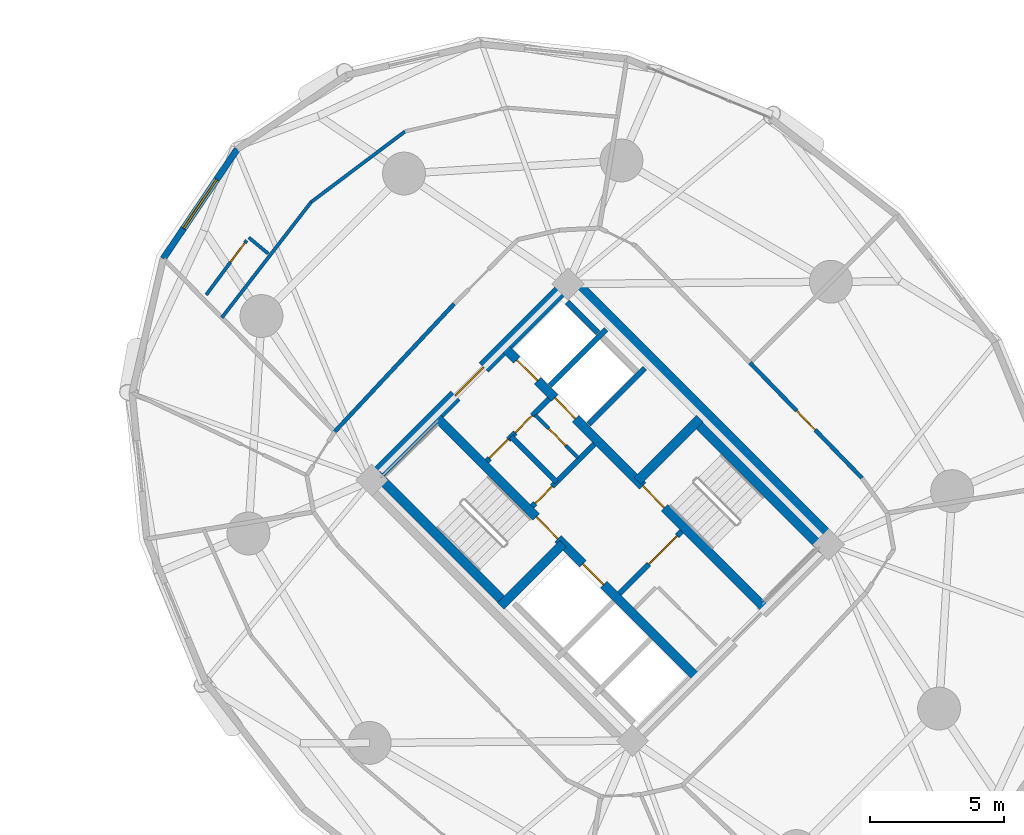
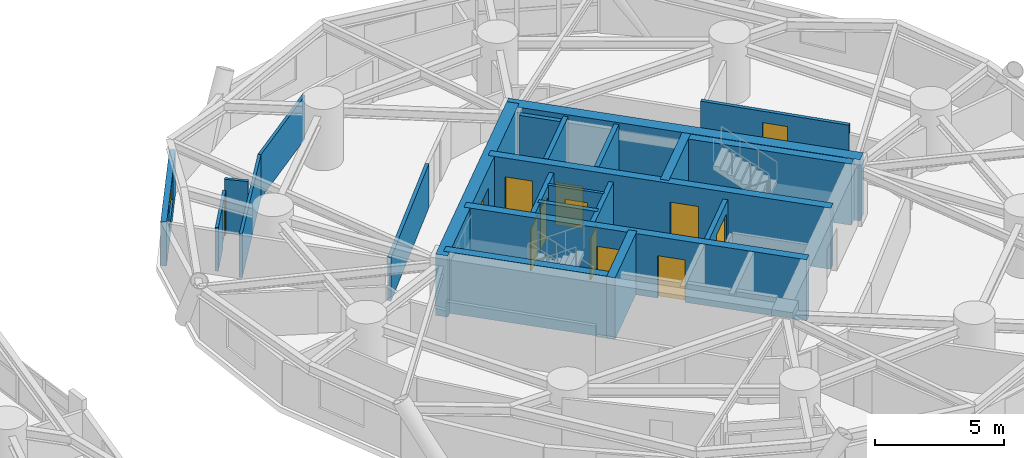
# One storey, part 12 of 16: 23 walls, 13 doors, 1 window, 14 openings.
"""IFC4 building model written with IfcOpenShell, lengths in metres."""

from ifc_helpers import new_model, si_unit, direction, frame, frame_2d, origin, place, context, subcontext, project, spatial, rectangle, extrude, source, transform, mapped, material, layer, layer_set, type_object, element, fill, save


model = new_model("IFC4")

# Units and contexts
model_context = context("Model", 3, precision=1e-05, world=origin(), true_north=direction((0.0, 1.0)))
body_context = subcontext(model_context, "Body", "Model", "MODEL_VIEW")
ifc_project = project(units=[si_unit("LENGTHUNIT", "METRE"), si_unit("AREAUNIT", "SQUARE_METRE"), si_unit("VOLUMEUNIT", "CUBIC_METRE"), si_unit("PLANEANGLEUNIT", "RADIAN"), si_unit("MASSUNIT", "GRAM", prefix="KILO")], contexts=[model_context])

# Site, building, storey
site_placement = place(None, origin())
site = spatial("IfcSite", under=ifc_project, at=site_placement, CompositionType="ELEMENT")
building_placement = place(site_placement, origin())
building = spatial("IfcBuilding", under=site, at=building_placement, Name="Cununo Teusaquillo Station Towers", CompositionType="ELEMENT")
storey_placement = place(building_placement, frame((0.0, 0.0, 62.739990234375)))
storey = spatial("IfcBuildingStorey", under=building, at=storey_placement, Name="L19", CompositionType="ELEMENT", Elevation=62.739990234375)

# Walls
ifc_material_1 = material(Name="Concrete C50/60", Category="concrete")
ifc_layer_1 = layer(ifc_material_1, 0.199951171875)
ifc_layer_set_1 = layer_set([ifc_layer_1], Name="Concrete C50/60")
wall_type_1 = type_object("IfcWallType", Name="WL-CORE-200", PredefinedType="SHEAR", material=ifc_layer_set_1)
wall_1_placement = place(storey_placement, frame((57.0615234375, 27.781005859375, 0.0), z_axis=(0.0, 0.0, 1.0), x_axis=(0.707106781187, 0.707106781187, 0.0)))
element("IfcWall", 1, at=wall_1_placement, inside=storey, type_object=wall_type_1, Name="L19 Tower B Low-Rise Lift Hoistway South Shear Wall", PredefinedType="SHEAR", context=body_context, shape_type="SweptSolid", body=[
    extrude(rectangle(XDim=2.969970703125, YDim=0.199951171875, at=frame_2d((1.48486328125, 0.0))), origin(), (0.0, 0.0, 1.0), 2.909912109375),
])
wall_2_placement = place(storey_placement, frame((55.615478515625, 29.22705078125, 0.0), z_axis=(0.0, 0.0, 1.0), x_axis=(0.707147878904, 0.70706568108, 0.0)))
element("IfcWall", 2, at=wall_2_placement, inside=storey, type_object=wall_type_1, Name="L19 Tower B Low-Rise Lift Hoistway Divider Shear Wall", PredefinedType="SHEAR", context=body_context, shape_type="SweptSolid", body=[
    extrude(rectangle(XDim=2.97021484375, YDim=0.199951171875, at=frame_2d((1.485107421875, 0.0))), origin(), (0.0, 0.0, 1.0), 2.909912109375),
])
wall_3_placement = place(storey_placement, frame((57.418701171875, 31.19970703125, 0.0), z_axis=(0.0, 0.0, 1.0), x_axis=(-0.707032117043, 0.707181437447, 0.0)))
element("IfcWall", 3, at=wall_3_placement, inside=storey, type_object=wall_type_1, Name="L19 Tower B Low-Rise Lift 2 Shaft Rear Shear Wall", PredefinedType="SHEAR", context=body_context, shape_type="SweptSolid", body=[
    extrude(rectangle(XDim=1.635009765625, YDim=0.199951171875, at=frame_2d((0.8173828125, 0.0))), origin(), (0.0, 0.0, 1.0), 2.909912109375),
])

# Wall, openings, doors
ifc_material_2 = material(Name="Concrete C50/60", Category="concrete")
ifc_layer_2 = layer(ifc_material_2, 0.35009765625)
ifc_layer_set_2 = layer_set([ifc_layer_2], Name="Concrete C50/60")
wall_type_2 = type_object("IfcWallType", Name="WL-CORE-350", PredefinedType="SHEAR", material=ifc_layer_set_2)
wall_4_placement = place(storey_placement, frame((61.095703125, 18.337646484375, 0.0), z_axis=(0.0, 0.0, 1.0), x_axis=(-0.707106781187, 0.707106781187, 0.0)))
wall_4 = element("IfcWall", 4, at=wall_4_placement, inside=storey, type_object=wall_type_2, Name="L19 Tower B Core Shear Wall IW", PredefinedType="SHEAR", context=body_context, shape_type="SweptSolid", body=[
    extrude(rectangle(XDim=13.800048828125, YDim=0.35009765625, at=frame_2d((6.89990234375, 0.0))), origin(), (0.0, 0.0, 1.0), 2.909912109375),
])
shared_shape_1 = source(origin(), body_context, "Body", "SweptSolid", [
    extrude(rectangle(XDim=1.10009765625, YDim=2.014892578125, at=frame_2d((0.550048828125, 1.00732421875))), frame((0.0, 0.18505859375, 0.0), z_axis=(0.0, -1.0, 0.0), x_axis=(1.0, 0.0, 0.0)), (0.0, 0.0, 1.0), 0.3701171875),
])
opening_1_placement = place(wall_4_placement, frame((4.89990234375, 0.0, 0.0)))
opening_1 = element("IfcOpeningElement", 5, at=opening_1_placement, cuts=wall_4, Name="Opening LD-01", PredefinedType="OPENING", context=body_context, shape_type="MappedRepresentation", body=[
    mapped(shared_shape_1, transform((0.0, 0.0, 0.0), x_axis=(1.0, 0.0, 0.0), y_axis=(0.0, 1.0, 0.0), z_axis=(0.0, 0.0, 1.0), scale=1.0)),
])
shared_shape_2 = source(origin(), body_context, "Body", "SweptSolid", [
    extrude(rectangle(XDim=1.14990234375, YDim=2.02001953125, at=frame_2d((0.574951171875, 1.010009765625))), frame((0.0, 0.18505859375, 0.0), z_axis=(0.0, -1.0, 0.0), x_axis=(1.0, 0.0, 0.0)), (0.0, 0.0, 1.0), 0.3701171875),
])
opening_2_placement = place(wall_4_placement, frame((7.320068359375, 0.0, 0.0)))
opening_2 = element("IfcOpeningElement", 6, at=opening_2_placement, cuts=wall_4, Name="Opening D-ST1", PredefinedType="OPENING", context=body_context, shape_type="MappedRepresentation", body=[
    mapped(shared_shape_2, transform((0.0, 0.0, 0.0), x_axis=(1.0, 0.0, 0.0), y_axis=(0.0, 1.0, 0.0), z_axis=(0.0, 0.0, 1.0), scale=1.0)),
])
ifc_material_3 = material(Name="Galvanised fire-rated hollow steel door assembly", Category="steel")
door_type_1 = type_object("IfcDoorType", Name="DR-LIFT-1100", OperationType="SLIDING_TO_LEFT", PredefinedType="DOOR", material=ifc_material_3)
shared_shape_3 = source(origin(), body_context, "Body", "SweptSolid", [
    extrude(rectangle(XDim=1.10009765625, YDim=2.014892578125, at=frame_2d((0.550048828125, 1.00732421875))), frame((0.0, 0.02490234375, 0.0), z_axis=(0.0, -1.0, 0.0), x_axis=(1.0, 0.0, 0.0)), (0.0, 0.0, 1.0), 0.050048828125),
])
door_1_placement = place(opening_1_placement, origin())
door_1 = element("IfcDoor", 7, at=door_1_placement, inside=storey, type_object=door_type_1, Name="L19 Lift FL-T2 Sliding Landing Door", OperationType="SLIDING_TO_LEFT", OverallHeight=2.014892578125, OverallWidth=1.10009765625, PredefinedType="DOOR", context=body_context, shape_type="MappedRepresentation", body=[
    mapped(shared_shape_3, transform((0.0, 0.0, 0.0), x_axis=(1.0, 0.0, 0.0), y_axis=(0.0, 1.0, 0.0), z_axis=(0.0, 0.0, 1.0), scale=1.0)),
])
fill(opening_1, door_1)
ifc_material_4 = material(Name="Galvanised fire-rated hollow steel door assembly", Category="steel")
door_type_2 = type_object("IfcDoorType", Name="DR-STAIR-1150", OperationType="NOTDEFINED", PredefinedType="DOOR", material=ifc_material_4)
shared_shape_4 = source(origin(), body_context, "Body", "SweptSolid", [
    extrude(rectangle(XDim=1.14990234375, YDim=2.02001953125, at=frame_2d((0.574951171875, 1.010009765625))), frame((0.0, 0.02490234375, 0.0), z_axis=(0.0, -1.0, 0.0), x_axis=(1.0, 0.0, 0.0)), (0.0, 0.0, 1.0), 0.050048828125),
])
door_2_placement = place(opening_2_placement, origin())
door_2 = element("IfcDoor", 8, at=door_2_placement, inside=storey, type_object=door_type_2, Name="L19 Tower B Exit Stair 1 Fire Door", OperationType="SINGLE_SWING_LEFT", OverallHeight=2.02001953125, OverallWidth=1.14990234375, PredefinedType="DOOR", context=body_context, shape_type="MappedRepresentation", body=[
    mapped(shared_shape_4, transform((0.0, 0.0, 0.0), x_axis=(1.0, 0.0, 0.0), y_axis=(0.0, 1.0, 0.0), z_axis=(0.0, 0.0, 1.0), scale=1.0)),
])
fill(opening_2, door_2)

wall_5_placement = place(storey_placement, frame((63.662353515625, 20.904296875, 0.0), z_axis=(0.0, 0.0, 1.0), x_axis=(-0.707106781187, 0.707106781187, 0.0)))
wall_5 = element("IfcWall", 9, at=wall_5_placement, inside=storey, type_object=wall_type_2, Name="L19 Tower B Core Shear Wall IE", PredefinedType="SHEAR", context=body_context, shape_type="SweptSolid", body=[
    extrude(rectangle(XDim=13.800048828125, YDim=0.35009765625, at=frame_2d((6.89990234375, 0.0))), origin(), (0.0, 0.0, 1.0), 2.909912109375),
])
opening_3_placement = place(wall_5_placement, frame((10.02490234375, 0.0, 0.0)))
opening_3 = element("IfcOpeningElement", 10, at=opening_3_placement, cuts=wall_5, Name="Opening LD-01", PredefinedType="OPENING", context=body_context, shape_type="MappedRepresentation", body=[
    mapped(shared_shape_1, transform((0.0, 0.0, 0.0), x_axis=(1.0, 0.0, 0.0), y_axis=(0.0, 1.0, 0.0), z_axis=(0.0, 0.0, 1.0), scale=1.0)),
])
opening_4_placement = place(wall_5_placement, frame((12.02490234375, 0.0, 0.0)))
opening_4 = element("IfcOpeningElement", 11, at=opening_4_placement, cuts=wall_5, Name="Opening LD-01", PredefinedType="OPENING", context=body_context, shape_type="MappedRepresentation", body=[
    mapped(shared_shape_1, transform((0.0, 0.0, 0.0), x_axis=(1.0, 0.0, 0.0), y_axis=(0.0, 1.0, 0.0), z_axis=(0.0, 0.0, 1.0), scale=1.0)),
])
opening_5_placement = place(wall_5_placement, frame((5.330078125, 0.0, 0.0)))
opening_5 = element("IfcOpeningElement", 12, at=opening_5_placement, cuts=wall_5, Name="Opening D-ST1", PredefinedType="OPENING", context=body_context, shape_type="MappedRepresentation", body=[
    mapped(shared_shape_2, transform((0.0, 0.0, 0.0), x_axis=(1.0, 0.0, 0.0), y_axis=(0.0, 1.0, 0.0), z_axis=(0.0, 0.0, 1.0), scale=1.0)),
])
door_3_placement = place(opening_3_placement, origin())
door_3 = element("IfcDoor", 13, at=door_3_placement, inside=storey, type_object=door_type_1, Name="L19 Lift PL-T2-L1 Sliding Landing Door", OperationType="SLIDING_TO_RIGHT", OverallHeight=2.014892578125, OverallWidth=1.10009765625, PredefinedType="DOOR", context=body_context, shape_type="MappedRepresentation", body=[
    mapped(shared_shape_3, transform((0.0, 0.0, 0.0), x_axis=(1.0, 0.0, 0.0), y_axis=(0.0, 1.0, 0.0), z_axis=(0.0, 0.0, 1.0), scale=1.0)),
])
fill(opening_3, door_3)
door_4_placement = place(opening_4_placement, origin())
door_4 = element("IfcDoor", 14, at=door_4_placement, inside=storey, type_object=door_type_1, Name="L19 Lift PL-T2-L2 Sliding Landing Door", OperationType="SLIDING_TO_LEFT", OverallHeight=2.014892578125, OverallWidth=1.10009765625, PredefinedType="DOOR", context=body_context, shape_type="MappedRepresentation", body=[
    mapped(shared_shape_3, transform((0.0, 0.0, 0.0), x_axis=(1.0, 0.0, 0.0), y_axis=(0.0, 1.0, 0.0), z_axis=(0.0, 0.0, 1.0), scale=1.0)),
])
fill(opening_4, door_4)
door_5_placement = place(opening_5_placement, origin())
door_5 = element("IfcDoor", 15, at=door_5_placement, inside=storey, type_object=door_type_2, Name="L19 Tower B Exit Stair 2 Fire Door", OperationType="SINGLE_SWING_RIGHT", OverallHeight=2.02001953125, OverallWidth=1.14990234375, PredefinedType="DOOR", context=body_context, shape_type="MappedRepresentation", body=[
    mapped(shared_shape_4, transform((0.0, 0.0, 0.0), x_axis=(1.0, 0.0, 0.0), y_axis=(0.0, 1.0, 0.0), z_axis=(0.0, 0.0, 1.0), scale=1.0)),
])
fill(opening_5, door_5)

# Walls
wall_6_placement = place(storey_placement, frame((53.922119140625, 21.14111328125, 0.0), z_axis=(0.0, 0.0, 1.0), x_axis=(-0.707106781187, 0.707106781187, 0.0)))
element("IfcWall", 16, at=wall_6_placement, inside=storey, type_object=wall_type_2, Name="L19 Tower B Core Shear Wall ST1W", PredefinedType="SHEAR", context=body_context, shape_type="SweptSolid", body=[
    extrude(rectangle(XDim=6.7451171875, YDim=0.35009765625, at=frame_2d((3.37255859375, 0.0))), origin(), (0.0, 0.0, 1.0), 2.909912109375),
])
wall_7_placement = place(storey_placement, frame((53.7841796875, 21.00341796875, 0.0), z_axis=(0.0, 0.0, 1.0), x_axis=(0.707106781187, 0.707106781187, 0.0)))
element("IfcWall", 17, at=wall_7_placement, inside=storey, type_object=wall_type_2, Name="L19 Tower B Core Shear Wall ST1S", PredefinedType="SHEAR", context=body_context, shape_type="SweptSolid", body=[
    extrude(rectangle(XDim=3.284912109375, YDim=0.35009765625, at=frame_2d((1.642578125, 0.0))), origin(), (0.0, 0.0, 1.0), 2.909912109375),
])
wall_8_placement = place(storey_placement, frame((65.847412109375, 23.08935546875, 0.0), z_axis=(0.0, 0.0, 1.0), x_axis=(-0.707106781187, 0.707106781187, 0.0)))
element("IfcWall", 18, at=wall_8_placement, inside=storey, type_object=wall_type_2, Name="L19 Tower B Core Shear Wall ST2E", PredefinedType="SHEAR", context=body_context, shape_type="SweptSolid", body=[
    extrude(rectangle(XDim=6.7451171875, YDim=0.35009765625, at=frame_2d((3.37255859375, 0.0))), origin(), (0.0, 0.0, 1.0), 2.909912109375),
])
wall_9_placement = place(storey_placement, frame((58.89306640625, 25.673828125, 0.0), z_axis=(0.0, 0.0, 1.0), x_axis=(0.707106781187, 0.707106781187, 0.0)))
element("IfcWall", 19, at=wall_9_placement, inside=storey, type_object=wall_type_2, Name="L19 Tower B Core Shear Wall ST2N", PredefinedType="SHEAR", context=body_context, shape_type="SweptSolid", body=[
    extrude(rectangle(XDim=3.284912109375, YDim=0.35009765625, at=frame_2d((1.642578125, 0.0))), origin(), (0.0, 0.0, 1.0), 2.909912109375),
])
ifc_material_5 = material(Name="Concrete C60/75", Category="concrete")
ifc_layer_3 = layer(ifc_material_5, 0.5)
ifc_layer_set_3 = layer_set([ifc_layer_3], Name="Concrete C60/75")
wall_type_3 = type_object("IfcWallType", Name="WL-CORE-500", PredefinedType="SHEAR", material=ifc_layer_set_3)
wall_10_placement = place(storey_placement, frame((66.3388671875, 23.227294921875, 0.0), z_axis=(0.0, 0.0, 1.0), x_axis=(-0.707106781187, 0.707106781187, 0.0)))
element("IfcWall", 20, at=wall_10_placement, inside=storey, type_object=wall_type_3, Name="L19 Tower B Core Shear Wall E", PredefinedType="SHEAR", context=body_context, shape_type="SweptSolid", body=[
    extrude(rectangle(XDim=14.2998046875, YDim=0.5, at=frame_2d((7.14990234375, 0.0))), origin(), (0.0, 0.0, 1.0), 2.909912109375),
])

# Wall, opening, door
wall_11_placement = place(storey_placement, frame((48.837890625, 25.595947265625, 0.0), z_axis=(0.0, 0.0, 1.0), x_axis=(0.707106781187, 0.707106781187, 0.0)))
wall_11 = element("IfcWall", 21, at=wall_11_placement, inside=storey, type_object=wall_type_3, Name="L19 Tower B Core Shear Wall N", PredefinedType="SHEAR", context=body_context, shape_type="SweptSolid", body=[
    extrude(rectangle(XDim=10.7001953125, YDim=0.5, at=frame_2d((5.35009765625, 0.0))), origin(), (0.0, 0.0, 1.0), 2.909912109375),
])
shared_shape_5 = source(origin(), body_context, "Body", "SweptSolid", [
    extrude(rectangle(XDim=1.5, YDim=2.02001953125, at=frame_2d((0.75, 1.010009765625))), frame((0.0, 0.260009765625, 0.0), z_axis=(0.0, -1.0, 0.0), x_axis=(1.0, 0.0, 0.0)), (0.0, 0.0, 1.0), 0.52001953125),
])
opening_6_placement = place(wall_11_placement, frame((4.60009765625, 0.0, 0.0)))
opening_6 = element("IfcOpeningElement", 22, at=opening_6_placement, cuts=wall_11, Name="Opening D-LB1", PredefinedType="OPENING", context=body_context, shape_type="MappedRepresentation", body=[
    mapped(shared_shape_5, transform((0.0, 0.0, 0.0), x_axis=(1.0, 0.0, 0.0), y_axis=(0.0, 1.0, 0.0), z_axis=(0.0, 0.0, 1.0), scale=1.0)),
])
ifc_material_6 = material(Name="Galvanised fire-rated hollow steel door assembly", Category="steel")
door_type_3 = type_object("IfcDoorType", Name="DR-LOBBY-1500", OperationType="DOUBLE_DOOR_SINGLE_SWING", PredefinedType="DOOR", material=ifc_material_6)
shared_shape_6 = source(origin(), body_context, "Body", "SweptSolid", [
    extrude(rectangle(XDim=1.5, YDim=2.02001953125, at=frame_2d((0.75, 1.010009765625))), frame((0.0, 0.02490234375, 0.0), z_axis=(0.0, -1.0, 0.0), x_axis=(1.0, 0.0, 0.0)), (0.0, 0.0, 1.0), 0.050048828125),
])
door_6_placement = place(opening_6_placement, origin())
door_6 = element("IfcDoor", 23, at=door_6_placement, inside=storey, type_object=door_type_3, Name="L19 Tower B North Core Lift Lobby Door", OperationType="DOUBLE_DOOR_SINGLE_SWING", OverallHeight=2.02001953125, OverallWidth=1.5, PredefinedType="DOOR", context=body_context, shape_type="MappedRepresentation", body=[
    mapped(shared_shape_6, transform((0.0, 0.0, 0.0), x_axis=(1.0, 0.0, 0.0), y_axis=(0.0, 1.0, 0.0), z_axis=(0.0, 0.0, 1.0), scale=1.0)),
])
fill(opening_6, door_6)

# Wall, opening, window
ifc_material_7 = material(Name="Precast concrete C40/50", Category="concrete")
ifc_layer_4 = layer(ifc_material_7, 0.239990234375)
ifc_layer_set_4 = layer_set([ifc_layer_4], Name="Precast concrete C40/50")
wall_type_4 = type_object("IfcWallType", Name="WL-EXT-240", PredefinedType="SOLIDWALL", material=ifc_layer_set_4)
wall_12_placement = place(storey_placement, frame((41.185791015625, 33.969482421875, 0.0), z_axis=(0.0, 0.0, 1.0), x_axis=(0.559638693991, 0.828736708604, 0.0)))
wall_12 = element("IfcWall", 24, at=wall_12_placement, inside=storey, type_object=wall_type_4, Name="L19 Tower B Exterior Facade Wall C05", PredefinedType="SOLIDWALL", context=body_context, shape_type="SweptSolid", body=[
    extrude(rectangle(XDim=4.929931640625, YDim=0.239990234375, at=frame_2d((2.46484375, 0.0))), origin(), (0.0, 0.0, 1.0), 2.0791015625),
])
shared_shape_7 = source(origin(), body_context, "Body", "SweptSolid", [
    extrude(rectangle(XDim=2.199951171875, YDim=1.35009765625, at=frame_2d((1.10009765625, 0.675048828125))), frame((0.0, 0.1298828125, 0.0), z_axis=(0.0, -1.0, 0.0), x_axis=(1.0, 0.0, 0.0)), (0.0, 0.0, 1.0), 0.260009765625),
])
opening_7_placement = place(wall_12_placement, frame((1.364990234375, 0.0, 0.64990234375)))
opening_7 = element("IfcOpeningElement", 25, at=opening_7_placement, cuts=wall_12, Name="Opening WN-01", PredefinedType="OPENING", context=body_context, shape_type="MappedRepresentation", body=[
    mapped(shared_shape_7, transform((0.0, 0.0, 0.0), x_axis=(1.0, 0.0, 0.0), y_axis=(0.0, 1.0, 0.0), z_axis=(0.0, 0.0, 1.0), scale=1.0)),
])
ifc_material_8 = material(Name="Ceramic-fritted dark low-E double glazing", Category="glass")
window_type = type_object("IfcWindowType", Name="WIN-FRIT-2200", PartitioningType="DOUBLE_PANEL_VERTICAL", PredefinedType="WINDOW", material=ifc_material_8)
shared_shape_8 = source(origin(), body_context, "Body", "SweptSolid", [
    extrude(rectangle(XDim=2.199951171875, YDim=1.35009765625, at=frame_2d((1.10009765625, 0.675048828125))), frame((0.0, 0.030029296875, 0.0), z_axis=(0.0, -1.0, 0.0), x_axis=(1.0, 0.0, 0.0)), (0.0, 0.0, 1.0), 0.06005859375),
])
window_placement = place(opening_7_placement, origin())
window = element("IfcWindow", 26, at=window_placement, inside=storey, type_object=window_type, Name="L19 Tower B Facade Window C05", OverallHeight=1.35009765625, OverallWidth=2.199951171875, PartitioningType="DOUBLE_PANEL_VERTICAL", PredefinedType="WINDOW", context=body_context, shape_type="MappedRepresentation", body=[
    mapped(shared_shape_8, transform((0.0, 0.0, 0.0), x_axis=(1.0, 0.0, 0.0), y_axis=(0.0, 1.0, 0.0), z_axis=(0.0, 0.0, 1.0), scale=1.0)),
])
fill(opening_7, window)

# Wall, opening, door
ifc_material_9 = material(Name="Fire-rated gypsum plasterboard partition assembly", Category="gypsum")
ifc_layer_5 = layer(ifc_material_9, 0.125)
ifc_layer_set_5 = layer_set([ifc_layer_5], Name="Fire-rated gypsum plasterboard partition assembly")
wall_type_5 = type_object("IfcWallType", Name="WL-PART-125", PredefinedType="PARTITIONING", material=ifc_layer_set_5)
wall_13_placement = place(storey_placement, frame((56.672607421875, 26.529296875, 0.0), z_axis=(0.0, 0.0, 1.0), x_axis=(-0.707052764397, 0.70716079385, 0.0)))
wall_13 = element("IfcWall", 27, at=wall_13_placement, inside=storey, type_object=wall_type_5, Name="L19 Tower B Core Vertical Split Wall", PredefinedType="PARTITIONING", context=body_context, shape_type="SweptSolid", body=[
    extrude(rectangle(XDim=2.260009765625, YDim=0.125, at=frame_2d((1.1298828125, 0.0))), origin(), (0.0, 0.0, 1.0), 2.554931640625),
])
shared_shape_9 = source(origin(), body_context, "Body", "SweptSolid", [
    extrude(rectangle(XDim=0.89990234375, YDim=2.0048828125, at=frame_2d((0.449951171875, 1.00244140625))), frame((0.0, 0.072509765625, 0.0), z_axis=(0.0, -1.0, 0.0), x_axis=(1.0, 0.0, 0.0)), (0.0, 0.0, 1.0), 0.14501953125),
])
opening_8_placement = place(wall_13_placement, frame((0.64990234375, 0.0, 0.0)))
opening_8 = element("IfcOpeningElement", 28, at=opening_8_placement, cuts=wall_13, Name="Opening D-SR1", PredefinedType="OPENING", context=body_context, shape_type="MappedRepresentation", body=[
    mapped(shared_shape_9, transform((0.0, 0.0, 0.0), x_axis=(1.0, 0.0, 0.0), y_axis=(0.0, 1.0, 0.0), z_axis=(0.0, 0.0, 1.0), scale=1.0)),
])
ifc_material_10 = material(Name="Galvanised fire-rated hollow steel door assembly", Category="steel")
door_type_4 = type_object("IfcDoorType", Name="DR-STORE-900", OperationType="NOTDEFINED", PredefinedType="DOOR", material=ifc_material_10)
shared_shape_10 = source(origin(), body_context, "Body", "SweptSolid", [
    extrude(rectangle(XDim=0.89990234375, YDim=2.0048828125, at=frame_2d((0.449951171875, 1.00244140625))), frame((0.0, 0.02490234375, 0.0), z_axis=(0.0, -1.0, 0.0), x_axis=(1.0, 0.0, 0.0)), (0.0, 0.0, 1.0), 0.050048828125),
])
door_7_placement = place(opening_8_placement, origin())
door_7 = element("IfcDoor", 29, at=door_7_placement, inside=storey, type_object=door_type_4, Name="L19 Tower B Core Electrical Room Door", OperationType="SINGLE_SWING_LEFT", OverallHeight=2.0048828125, OverallWidth=0.89990234375, PredefinedType="DOOR", context=body_context, shape_type="MappedRepresentation", body=[
    mapped(shared_shape_10, transform((0.0, 0.0, 0.0), x_axis=(1.0, 0.0, 0.0), y_axis=(0.0, 1.0, 0.0), z_axis=(0.0, 0.0, 1.0), scale=1.0)),
])
fill(opening_8, door_7)

# Walls
wall_14_placement = place(storey_placement, frame((50.211181640625, 38.7177734375, 0.0), z_axis=(0.0, 0.0, 1.0), x_axis=(-0.799130420348, -0.601157692519, 0.0)))
element("IfcWall", 30, at=wall_14_placement, inside=storey, type_object=wall_type_5, Name="L19 Tower B Premier Spa Hotel Suite Concentric Partition Wall C04", PredefinedType="PARTITIONING", context=body_context, shape_type="SweptSolid", body=[
    extrude(rectangle(XDim=4.384033203125, YDim=0.125, at=frame_2d((2.19189453125, 0.0))), origin(), (0.0, 0.0, 1.0), 2.0791015625),
])
wall_15_placement = place(storey_placement, frame((46.707763671875, 36.082275390625, 0.0), z_axis=(0.0, 0.0, 1.0), x_axis=(-0.611308591704, -0.791392320982, 0.0)))
element("IfcWall", 31, at=wall_15_placement, inside=storey, type_object=wall_type_5, Name="L19 Tower B Premier Spa Hotel Suite Concentric Partition Wall C05", PredefinedType="PARTITIONING", context=body_context, shape_type="SweptSolid", body=[
    extrude(rectangle(XDim=5.45263671875, YDim=0.125, at=frame_2d((2.726318359375, 0.0))), origin(), (0.0, 0.0, 1.0), 2.0791015625),
])
wall_16_placement = place(storey_placement, frame((45.099853515625, 34.159423828125, 0.0), z_axis=(0.0, 0.0, 1.0), x_axis=(-0.768669758301, 0.639645841598, 0.0)))
element("IfcWall", 32, at=wall_16_placement, inside=storey, type_object=wall_type_5, Name="L19 Tower B S01 En-suite Side Wall", PredefinedType="PARTITIONING", context=body_context, shape_type="SweptSolid", body=[
    extrude(rectangle(XDim=0.9365234375, YDim=0.125, at=frame_2d((0.46826171875, 0.0))), origin(), (0.0, 0.0, 1.0), 2.554931640625),
])

# Wall, opening, door
wall_17_placement = place(storey_placement, frame((44.301025390625, 34.652587890625, 0.0), z_axis=(0.0, 0.0, 1.0), x_axis=(-0.59612539604, -0.802891345199, 0.0)))
wall_17 = element("IfcWall", 33, at=wall_17_placement, inside=storey, type_object=wall_type_5, Name="L19 Tower B S01 En-suite Back Wall", PredefinedType="PARTITIONING", context=body_context, shape_type="SweptSolid", body=[
    extrude(rectangle(XDim=2.53515625, YDim=0.125, at=frame_2d((1.267578125, 0.0))), origin(), (0.0, 0.0, 1.0), 2.0791015625),
])
opening_9_placement = place(wall_17_placement, frame((0.1201171875, 0.0, 0.0)))
opening_9 = element("IfcOpeningElement", 34, at=opening_9_placement, cuts=wall_17, Name="Opening D-IN1", PredefinedType="OPENING", context=body_context, shape_type="MappedRepresentation", body=[
    mapped(shared_shape_9, transform((0.0, 0.0, 0.0), x_axis=(1.0, 0.0, 0.0), y_axis=(0.0, 1.0, 0.0), z_axis=(0.0, 0.0, 1.0), scale=1.0)),
])
ifc_material_11 = material(Name="Acoustic solid-core hardwood leaf assembly", Category="wood")
door_type_5 = type_object("IfcDoorType", Name="DR-INT-900", OperationType="NOTDEFINED", PredefinedType="DOOR", material=ifc_material_11)
door_8_placement = place(opening_9_placement, origin())
door_8 = element("IfcDoor", 35, at=door_8_placement, inside=storey, type_object=door_type_5, Name="L19 Tower B S01 En-suite Bathroom Door", OperationType="SINGLE_SWING_RIGHT", OverallHeight=2.0048828125, OverallWidth=0.89990234375, PredefinedType="DOOR", context=body_context, shape_type="MappedRepresentation", body=[
    mapped(shared_shape_10, transform((0.0, 0.0, 0.0), x_axis=(1.0, 0.0, 0.0), y_axis=(0.0, 1.0, 0.0), z_axis=(0.0, 0.0, 1.0), scale=1.0)),
])
fill(opening_9, door_8)

# Wall
ifc_material_12 = material(Name="Fire-rated gypsum plasterboard partition assembly", Category="gypsum")
ifc_layer_6 = layer(ifc_material_12, 0.14990234375)
ifc_layer_set_6 = layer_set([ifc_layer_6], Name="Fire-rated gypsum plasterboard partition assembly")
wall_type_6 = type_object("IfcWallType", Name="WL-PART-150", PredefinedType="PARTITIONING", material=ifc_layer_set_6)
wall_18_placement = place(storey_placement, frame((52.04345703125, 32.27978515625, 0.0), z_axis=(0.0, 0.0, 1.0), x_axis=(-0.682606081633, -0.730786519661, 0.0)))
element("IfcWall", 36, at=wall_18_placement, inside=storey, type_object=wall_type_6, Name="L19 Tower B Corridor Ring Wall C05", PredefinedType="PARTITIONING", context=body_context, shape_type="SweptSolid", body=[
    extrude(rectangle(XDim=6.526611328125, YDim=0.14990234375, at=frame_2d((3.26318359375, 0.0))), origin(), (0.0, 0.0, 1.0), 2.0791015625),
])

# Wall, opening, door
wall_19_placement = place(storey_placement, frame((67.270263671875, 25.77978515625, 0.0), z_axis=(0.0, 0.0, 1.0), x_axis=(-0.696847842907, 0.717218992942, 0.0)))
wall_19 = element("IfcWall", 37, at=wall_19_placement, inside=storey, type_object=wall_type_6, Name="L19 Tower B Corridor Ring Wall C19", PredefinedType="PARTITIONING", context=body_context, shape_type="SweptSolid", body=[
    extrude(rectangle(XDim=6.00439453125, YDim=0.14990234375, at=frame_2d((3.002197265625, 0.0))), origin(), (0.0, 0.0, 1.0), 2.554931640625),
])
shared_shape_11 = source(origin(), body_context, "Body", "SweptSolid", [
    extrude(rectangle(XDim=1.0, YDim=2.014892578125, at=frame_2d((0.5, 1.00732421875))), frame((0.0, 0.0849609375, 0.0), z_axis=(0.0, -1.0, 0.0), x_axis=(1.0, 0.0, 0.0)), (0.0, 0.0, 1.0), 0.169921875),
])
opening_10_placement = place(wall_19_placement, frame((2.502197265625, 0.0, 0.0)))
opening_10 = element("IfcOpeningElement", 38, at=opening_10_placement, cuts=wall_19, Name="Opening D-AC1", PredefinedType="OPENING", context=body_context, shape_type="MappedRepresentation", body=[
    mapped(shared_shape_11, transform((0.0, 0.0, 0.0), x_axis=(1.0, 0.0, 0.0), y_axis=(0.0, 1.0, 0.0), z_axis=(0.0, 0.0, 1.0), scale=1.0)),
])
ifc_material_13 = material(Name="Acoustic solid-core hardwood leaf assembly", Category="wood")
door_type_6 = type_object("IfcDoorType", Name="DR-ACC-1000", OperationType="NOTDEFINED", PredefinedType="DOOR", material=ifc_material_13)
shared_shape_12 = source(origin(), body_context, "Body", "SweptSolid", [
    extrude(rectangle(XDim=1.0, YDim=2.014892578125, at=frame_2d((0.5, 1.00732421875))), frame((0.0, 0.02490234375, 0.0), z_axis=(0.0, -1.0, 0.0), x_axis=(1.0, 0.0, 0.0)), (0.0, 0.0, 1.0), 0.050048828125),
])
door_9_placement = place(opening_10_placement, origin())
door_9 = element("IfcDoor", 39, at=door_9_placement, inside=storey, type_object=door_type_6, Name="L19 Tower B Public Accessible Restroom WC Entrance Door", OperationType="SINGLE_SWING_LEFT", OverallHeight=2.014892578125, OverallWidth=1.0, PredefinedType="DOOR", context=body_context, shape_type="MappedRepresentation", body=[
    mapped(shared_shape_12, transform((0.0, 0.0, 0.0), x_axis=(1.0, 0.0, 0.0), y_axis=(0.0, 1.0, 0.0), z_axis=(0.0, 0.0, 1.0), scale=1.0)),
])
fill(opening_10, door_9)

ifc_material_14 = material(Name="Fire-rated gypsum plasterboard partition assembly", Category="gypsum")
ifc_layer_7 = layer(ifc_material_14, 0.199951171875)
ifc_layer_set_7 = layer_set([ifc_layer_7], Name="Fire-rated gypsum plasterboard partition assembly")
wall_type_7 = type_object("IfcWallType", Name="WL-PART-200", PredefinedType="PARTITIONING", material=ifc_layer_set_7)
wall_20_placement = place(storey_placement, frame((58.214111328125, 21.466552734375, 0.0), z_axis=(0.0, 0.0, 1.0), x_axis=(0.707106781187, 0.707106781187, 0.0)))
wall_20 = element("IfcWall", 40, at=wall_20_placement, inside=storey, type_object=wall_type_7, Name="L19 Tower B Firefighting Lift Lobby South Fire Wall", PredefinedType="PARTITIONING", context=body_context, shape_type="SweptSolid", body=[
    extrude(rectangle(XDim=3.280029296875, YDim=0.199951171875, at=frame_2d((1.64013671875, 0.0))), origin(), (0.0, 0.0, 1.0), 2.554931640625),
])
shared_shape_13 = source(origin(), body_context, "Body", "SweptSolid", [
    extrude(rectangle(XDim=1.5, YDim=2.02001953125, at=frame_2d((0.75, 1.010009765625))), frame((0.0, 0.10986328125, 0.0), z_axis=(0.0, -1.0, 0.0), x_axis=(1.0, 0.0, 0.0)), (0.0, 0.0, 1.0), 0.219970703125),
])
opening_11_placement = place(wall_20_placement, frame((1.550048828125, 0.0, 0.0)))
opening_11 = element("IfcOpeningElement", 41, at=opening_11_placement, cuts=wall_20, Name="Opening D-LB1", PredefinedType="OPENING", context=body_context, shape_type="MappedRepresentation", body=[
    mapped(shared_shape_13, transform((0.0, 0.0, 0.0), x_axis=(1.0, 0.0, 0.0), y_axis=(0.0, 1.0, 0.0), z_axis=(0.0, 0.0, 1.0), scale=1.0)),
])
door_10_placement = place(opening_11_placement, origin())
door_10 = element("IfcDoor", 42, at=door_10_placement, inside=storey, type_object=door_type_3, Name="L19 Tower B Firefighting Lift Lobby South Fire Door", OperationType="DOUBLE_DOOR_SINGLE_SWING", OverallHeight=2.02001953125, OverallWidth=1.5, PredefinedType="DOOR", context=body_context, shape_type="MappedRepresentation", body=[
    mapped(shared_shape_6, transform((0.0, 0.0, 0.0), x_axis=(1.0, 0.0, 0.0), y_axis=(0.0, 1.0, 0.0), z_axis=(0.0, 0.0, 1.0), scale=1.0)),
])
fill(opening_11, door_10)

wall_21_placement = place(storey_placement, frame((54.96142578125, 24.71923828125, 0.0), z_axis=(0.0, 0.0, 1.0), x_axis=(0.707106781187, 0.707106781187, 0.0)))
wall_21 = element("IfcWall", 43, at=wall_21_placement, inside=storey, type_object=wall_type_7, Name="L19 Tower B Firefighting Lift Lobby North Fire Wall", PredefinedType="PARTITIONING", context=body_context, shape_type="SweptSolid", body=[
    extrude(rectangle(XDim=3.280029296875, YDim=0.199951171875, at=frame_2d((1.64013671875, 0.0))), origin(), (0.0, 0.0, 1.0), 2.554931640625),
])
shared_shape_14 = source(origin(), body_context, "Body", "SweptSolid", [
    extrude(rectangle(XDim=0.89990234375, YDim=2.0048828125, at=frame_2d((0.449951171875, 1.00244140625))), frame((0.0, 0.10986328125, 0.0), z_axis=(0.0, -1.0, 0.0), x_axis=(1.0, 0.0, 0.0)), (0.0, 0.0, 1.0), 0.219970703125),
])
opening_12_placement = place(wall_21_placement, frame((0.159912109375, 0.0, 0.0)))
opening_12 = element("IfcOpeningElement", 44, at=opening_12_placement, cuts=wall_21, Name="Opening D-SR1", PredefinedType="OPENING", context=body_context, shape_type="MappedRepresentation", body=[
    mapped(shared_shape_14, transform((0.0, 0.0, 0.0), x_axis=(1.0, 0.0, 0.0), y_axis=(0.0, 1.0, 0.0), z_axis=(0.0, 0.0, 1.0), scale=1.0)),
])
door_11_placement = place(opening_12_placement, origin())
door_11 = element("IfcDoor", 45, at=door_11_placement, inside=storey, type_object=door_type_4, Name="L19 Tower B Stair 1 Protected Vestibule South Door", OperationType="SINGLE_SWING_LEFT", OverallHeight=2.0048828125, OverallWidth=0.89990234375, PredefinedType="DOOR", context=body_context, shape_type="MappedRepresentation", body=[
    mapped(shared_shape_10, transform((0.0, 0.0, 0.0), x_axis=(1.0, 0.0, 0.0), y_axis=(0.0, 1.0, 0.0), z_axis=(0.0, 0.0, 1.0), scale=1.0)),
])
fill(opening_12, door_11)

# Wall
wall_22_placement = place(storey_placement, frame((55.873779296875, 25.63134765625, 0.0), z_axis=(0.0, 0.0, 1.0), x_axis=(-0.707157639372, 0.707055919343, 0.0)))
element("IfcWall", 46, at=wall_22_placement, inside=storey, type_object=wall_type_7, Name="L19 Tower B Stair 1 Vestibule Partition Wall", PredefinedType="PARTITIONING", context=body_context, shape_type="SweptSolid", body=[
    extrude(rectangle(XDim=2.400146484375, YDim=0.199951171875, at=frame_2d((1.2001953125, 0.0))), origin(), (0.0, 0.0, 1.0), 2.554931640625),
])

# Wall, openings, doors
wall_23_placement = place(storey_placement, frame((53.264404296875, 26.416259765625, 0.0), z_axis=(0.0, 0.0, 1.0), x_axis=(0.707106781187, 0.707106781187, 0.0)))
wall_23 = element("IfcWall", 47, at=wall_23_placement, inside=storey, type_object=wall_type_7, Name="L19 Tower B North Lift Lobby South Fire Wall", PredefinedType="PARTITIONING", context=body_context, shape_type="SweptSolid", body=[
    extrude(rectangle(XDim=3.280029296875, YDim=0.199951171875, at=frame_2d((1.64013671875, 0.0))), origin(), (0.0, 0.0, 1.0), 2.554931640625),
])
shared_shape_15 = source(origin(), body_context, "Body", "SweptSolid", [
    extrude(rectangle(XDim=1.0, YDim=2.014892578125, at=frame_2d((0.5, 1.00732421875))), frame((0.0, 0.10986328125, 0.0), z_axis=(0.0, -1.0, 0.0), x_axis=(1.0, 0.0, 0.0)), (0.0, 0.0, 1.0), 0.219970703125),
])
opening_13_placement = place(wall_23_placement, frame((0.139892578125, 0.0, 0.0)))
opening_13 = element("IfcOpeningElement", 48, at=opening_13_placement, cuts=wall_23, Name="Opening D-AC1", PredefinedType="OPENING", context=body_context, shape_type="MappedRepresentation", body=[
    mapped(shared_shape_15, transform((0.0, 0.0, 0.0), x_axis=(1.0, 0.0, 0.0), y_axis=(0.0, 1.0, 0.0), z_axis=(0.0, 0.0, 1.0), scale=1.0)),
])
opening_14_placement = place(wall_23_placement, frame((1.5, 0.0, 0.0)))
opening_14 = element("IfcOpeningElement", 49, at=opening_14_placement, cuts=wall_23, Name="Opening D-SR1", PredefinedType="OPENING", context=body_context, shape_type="MappedRepresentation", body=[
    mapped(shared_shape_14, transform((0.0, 0.0, 0.0), x_axis=(1.0, 0.0, 0.0), y_axis=(0.0, 1.0, 0.0), z_axis=(0.0, 0.0, 1.0), scale=1.0)),
])
door_12_placement = place(opening_14_placement, origin())
door_12 = element("IfcDoor", 50, at=door_12_placement, inside=storey, type_object=door_type_4, Name="L19 Tower B Core Housekeeping Store Door", OperationType="SINGLE_SWING_RIGHT", OverallHeight=2.0048828125, OverallWidth=0.89990234375, PredefinedType="DOOR", context=body_context, shape_type="MappedRepresentation", body=[
    mapped(shared_shape_10, transform((0.0, 0.0, 0.0), x_axis=(1.0, 0.0, 0.0), y_axis=(0.0, 1.0, 0.0), z_axis=(0.0, 0.0, 1.0), scale=1.0)),
])
fill(opening_14, door_12)
door_13_placement = place(opening_13_placement, origin())
door_13 = element("IfcDoor", 51, at=door_13_placement, inside=storey, type_object=door_type_6, Name="L19 Tower B North Lift Lobby to Stair 1 Vestibule Door", OperationType="SINGLE_SWING_RIGHT", OverallHeight=2.014892578125, OverallWidth=1.0, PredefinedType="DOOR", context=body_context, shape_type="MappedRepresentation", body=[
    mapped(shared_shape_12, transform((0.0, 0.0, 0.0), x_axis=(1.0, 0.0, 0.0), y_axis=(0.0, 1.0, 0.0), z_axis=(0.0, 0.0, 1.0), scale=1.0)),
])
fill(opening_13, door_13)

save(model, "model.ifc")
